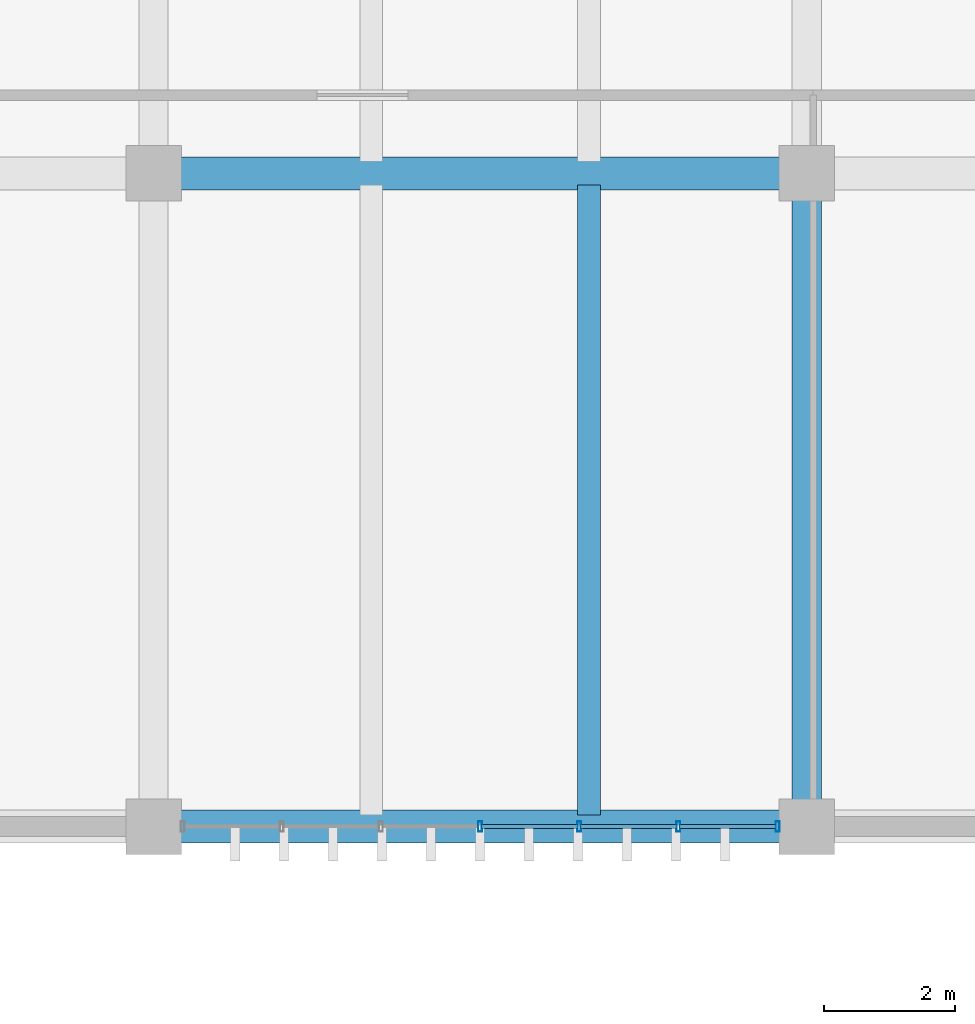
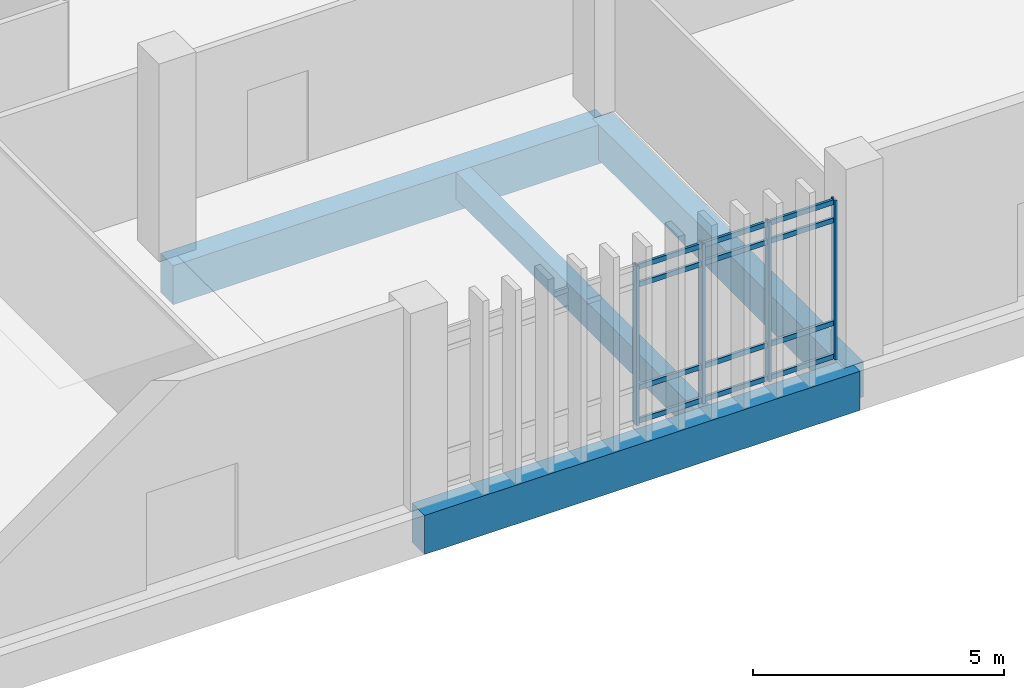
# One storey, part 42 of 87: 16 members, 4 beams, 1 element without a shape of its own.
"""IFC4 building model written with IfcOpenShell, lengths in metres."""

from ifc_helpers import new_model, si_unit, direction, frame, origin, origin_2d, place, context, subcontext, project, spatial, rectangle, hollow_rectangle, extrude, material, layer, layer_set, material_profile, profile_set, type_object, element, aggregate, save


model = new_model("IFC4")

# Units and contexts
model_context = context("Model", 3, precision=1e-05, world=origin(), true_north=direction((0.0, 1.0)))
body_context = subcontext(model_context, "Body", "Model", "MODEL_VIEW")
ifc_project = project(units=[si_unit("LENGTHUNIT", "METRE"), si_unit("AREAUNIT", "SQUARE_METRE"), si_unit("VOLUMEUNIT", "CUBIC_METRE"), si_unit("PLANEANGLEUNIT", "RADIAN"), si_unit("MASSUNIT", "GRAM", prefix="KILO")], contexts=[model_context])

# Site, building, storey
site_placement = place(None, origin())
site = spatial("IfcSite", under=ifc_project, at=site_placement, CompositionType="ELEMENT")
building_placement = place(site_placement, origin())
building = spatial("IfcBuilding", under=site, at=building_placement, Name="Mersad Railyard Sports Hall", CompositionType="ELEMENT")
storey_placement = place(building_placement, origin())
storey = spatial("IfcBuildingStorey", under=building, at=storey_placement, Name="L00", CompositionType="ELEMENT", Elevation=0.0)

# Curtain wall, members
ifc_material_1 = material(Name="Aluminium 6063-T6", Category="aluminium")
ifc_layer = layer(ifc_material_1, 0.159912109375)
ifc_layer_set = layer_set([ifc_layer], Name="Aluminium 6063-T6")
curtain_wall_type = type_object("IfcCurtainWallType", Name="ARC-CW-CW32", PredefinedType="USERDEFINED", material=ifc_layer_set)
curtain_wall_placement = place(storey_placement, origin())
curtain_wall = element("IfcCurtainWall", 1, at=curtain_wall_placement, inside=storey, type_object=curtain_wall_type, Name="Curtain wall CW32-0092", ObjectType="CURTAIN WALL", PredefinedType="USERDEFINED")
ifc_material_profile_1 = material_profile(ifc_material_1, hollow_rectangle(XDim=0.06005859375, YDim=0.159912109375, WallThickness=0.00390625, at=origin_2d()), Name="AL MULLION 60x160x4")
ifc_profile_set_1 = profile_set([ifc_material_profile_1], Name="Aluminium 6063-T6")
member_type_1 = type_object("IfcMemberType", Name="ARC-CW-MUL01", PredefinedType="MULLION", material=ifc_profile_set_1)
member_1_placement = place(storey_placement, frame((100.554931640625, 85.0, -0.02001953125), z_axis=(0.0, 0.0, 1.0), x_axis=(1.0, 0.0, 0.0)))
member_1 = element("IfcMember", 2, at=member_1_placement, type_object=member_type_1, Name="CW32 Mullion 1", PredefinedType="MULLION", context=body_context, shape_type="SweptSolid", body=[
    extrude(hollow_rectangle(XDim=0.06005859375, YDim=0.159912109375, WallThickness=0.00390625, at=origin_2d()), origin(), (0.0, 0.0, 1.0), 3.8701171875),
])
member_2_placement = place(storey_placement, frame((99.03662109375, 85.0, -0.02001953125), z_axis=(0.0, 0.0, 1.0), x_axis=(1.0, 0.0, 0.0)))
member_2 = element("IfcMember", 3, at=member_2_placement, type_object=member_type_1, Name="CW32 Mullion 2", PredefinedType="MULLION", context=body_context, shape_type="SweptSolid", body=[
    extrude(hollow_rectangle(XDim=0.06005859375, YDim=0.159912109375, WallThickness=0.00390625, at=origin_2d()), origin(), (0.0, 0.0, 1.0), 3.8701171875),
])
member_3_placement = place(storey_placement, frame((97.518310546875, 85.0, -0.02001953125), z_axis=(0.0, 0.0, 1.0), x_axis=(1.0, 0.0, 0.0)))
member_3 = element("IfcMember", 4, at=member_3_placement, type_object=member_type_1, Name="CW32 Mullion 3", PredefinedType="MULLION", context=body_context, shape_type="SweptSolid", body=[
    extrude(hollow_rectangle(XDim=0.06005859375, YDim=0.159912109375, WallThickness=0.00390625, at=origin_2d()), origin(), (0.0, 0.0, 1.0), 3.8701171875),
])
member_4_placement = place(storey_placement, frame((96.0, 85.0, -0.02001953125), z_axis=(0.0, 0.0, 1.0), x_axis=(1.0, 0.0, 0.0)))
member_4 = element("IfcMember", 5, at=member_4_placement, type_object=member_type_1, Name="CW32 Mullion 4", PredefinedType="MULLION", context=body_context, shape_type="SweptSolid", body=[
    extrude(hollow_rectangle(XDim=0.06005859375, YDim=0.159912109375, WallThickness=0.00390625, at=origin_2d()), origin(), (0.0, 0.0, 1.0), 3.8701171875),
])
ifc_material_profile_2 = material_profile(ifc_material_1, hollow_rectangle(XDim=0.06005859375, YDim=0.1201171875, WallThickness=0.00390625, at=origin_2d()), Name="AL TRANSOM 60x120x4")
ifc_profile_set_2 = profile_set([ifc_material_profile_2], Name="Aluminium 6063-T6")
member_type_2 = type_object("IfcMemberType", Name="ARC-CW-TRN01", PredefinedType="USERDEFINED", material=ifc_profile_set_2)
member_5_placement = place(storey_placement, frame((100.534912109375, 85.0, 0.0400390625), z_axis=(-1.0, 0.0, 0.0), x_axis=(0.0, -1.0, 0.0)))
member_5 = element("IfcMember", 6, at=member_5_placement, type_object=member_type_2, Name="CW32 Transom 1-1", ObjectType="TRANSOM", PredefinedType="USERDEFINED", context=body_context, shape_type="SweptSolid", body=[
    extrude(hollow_rectangle(XDim=0.06005859375, YDim=0.1201171875, WallThickness=0.00390625, at=origin_2d()), origin(), (0.0, 0.0, 1.0), 1.478271484375),
])
member_6_placement = place(storey_placement, frame((99.0166015625, 85.0, 0.0400390625), z_axis=(-1.0, 0.0, 0.0), x_axis=(0.0, -1.0, 0.0)))
member_6 = element("IfcMember", 7, at=member_6_placement, type_object=member_type_2, Name="CW32 Transom 1-2", ObjectType="TRANSOM", PredefinedType="USERDEFINED", context=body_context, shape_type="SweptSolid", body=[
    extrude(hollow_rectangle(XDim=0.06005859375, YDim=0.1201171875, WallThickness=0.00390625, at=origin_2d()), origin(), (0.0, 0.0, 1.0), 1.478271484375),
])
member_7_placement = place(storey_placement, frame((97.498291015625, 85.0, 0.0400390625), z_axis=(-1.0, 0.0, 0.0), x_axis=(0.0, -1.0, 0.0)))
member_7 = element("IfcMember", 8, at=member_7_placement, type_object=member_type_2, Name="CW32 Transom 1-3", ObjectType="TRANSOM", PredefinedType="USERDEFINED", context=body_context, shape_type="SweptSolid", body=[
    extrude(hollow_rectangle(XDim=0.06005859375, YDim=0.1201171875, WallThickness=0.00390625, at=origin_2d()), origin(), (0.0, 0.0, 1.0), 1.478271484375),
])
member_8_placement = place(storey_placement, frame((100.534912109375, 85.0, 0.85009765625), z_axis=(-1.0, 0.0, 0.0), x_axis=(0.0, -1.0, 0.0)))
member_8 = element("IfcMember", 9, at=member_8_placement, type_object=member_type_2, Name="CW32 Transom 2-1", ObjectType="TRANSOM", PredefinedType="USERDEFINED", context=body_context, shape_type="SweptSolid", body=[
    extrude(hollow_rectangle(XDim=0.06005859375, YDim=0.1201171875, WallThickness=0.00390625, at=origin_2d()), origin(), (0.0, 0.0, 1.0), 1.478271484375),
])
member_9_placement = place(storey_placement, frame((99.0166015625, 85.0, 0.85009765625), z_axis=(-1.0, 0.0, 0.0), x_axis=(0.0, -1.0, 0.0)))
member_9 = element("IfcMember", 10, at=member_9_placement, type_object=member_type_2, Name="CW32 Transom 2-2", ObjectType="TRANSOM", PredefinedType="USERDEFINED", context=body_context, shape_type="SweptSolid", body=[
    extrude(hollow_rectangle(XDim=0.06005859375, YDim=0.1201171875, WallThickness=0.00390625, at=origin_2d()), origin(), (0.0, 0.0, 1.0), 1.478271484375),
])
member_10_placement = place(storey_placement, frame((97.498291015625, 85.0, 0.85009765625), z_axis=(-1.0, 0.0, 0.0), x_axis=(0.0, -1.0, 0.0)))
member_10 = element("IfcMember", 11, at=member_10_placement, type_object=member_type_2, Name="CW32 Transom 2-3", ObjectType="TRANSOM", PredefinedType="USERDEFINED", context=body_context, shape_type="SweptSolid", body=[
    extrude(hollow_rectangle(XDim=0.06005859375, YDim=0.1201171875, WallThickness=0.00390625, at=origin_2d()), origin(), (0.0, 0.0, 1.0), 1.478271484375),
])
member_11_placement = place(storey_placement, frame((100.534912109375, 85.0, 3.35009765625), z_axis=(-1.0, 0.0, 0.0), x_axis=(0.0, -1.0, 0.0)))
member_11 = element("IfcMember", 12, at=member_11_placement, type_object=member_type_2, Name="CW32 Transom 3-1", ObjectType="TRANSOM", PredefinedType="USERDEFINED", context=body_context, shape_type="SweptSolid", body=[
    extrude(hollow_rectangle(XDim=0.06005859375, YDim=0.1201171875, WallThickness=0.00390625, at=origin_2d()), origin(), (0.0, 0.0, 1.0), 1.478271484375),
])
member_12_placement = place(storey_placement, frame((99.0166015625, 85.0, 3.35009765625), z_axis=(-1.0, 0.0, 0.0), x_axis=(0.0, -1.0, 0.0)))
member_12 = element("IfcMember", 13, at=member_12_placement, type_object=member_type_2, Name="CW32 Transom 3-2", ObjectType="TRANSOM", PredefinedType="USERDEFINED", context=body_context, shape_type="SweptSolid", body=[
    extrude(hollow_rectangle(XDim=0.06005859375, YDim=0.1201171875, WallThickness=0.00390625, at=origin_2d()), origin(), (0.0, 0.0, 1.0), 1.478271484375),
])
member_13_placement = place(storey_placement, frame((97.498291015625, 85.0, 3.35009765625), z_axis=(-1.0, 0.0, 0.0), x_axis=(0.0, -1.0, 0.0)))
member_13 = element("IfcMember", 14, at=member_13_placement, type_object=member_type_2, Name="CW32 Transom 3-3", ObjectType="TRANSOM", PredefinedType="USERDEFINED", context=body_context, shape_type="SweptSolid", body=[
    extrude(hollow_rectangle(XDim=0.06005859375, YDim=0.1201171875, WallThickness=0.00390625, at=origin_2d()), origin(), (0.0, 0.0, 1.0), 1.478271484375),
])
member_14_placement = place(storey_placement, frame((100.534912109375, 85.0, 3.7900390625), z_axis=(-1.0, 0.0, 0.0), x_axis=(0.0, -1.0, 0.0)))
member_14 = element("IfcMember", 15, at=member_14_placement, type_object=member_type_2, Name="CW32 Transom 4-1", ObjectType="TRANSOM", PredefinedType="USERDEFINED", context=body_context, shape_type="SweptSolid", body=[
    extrude(hollow_rectangle(XDim=0.06005859375, YDim=0.1201171875, WallThickness=0.00390625, at=origin_2d()), origin(), (0.0, 0.0, 1.0), 1.478271484375),
])
member_15_placement = place(storey_placement, frame((99.0166015625, 85.0, 3.7900390625), z_axis=(-1.0, 0.0, 0.0), x_axis=(0.0, -1.0, 0.0)))
member_15 = element("IfcMember", 16, at=member_15_placement, type_object=member_type_2, Name="CW32 Transom 4-2", ObjectType="TRANSOM", PredefinedType="USERDEFINED", context=body_context, shape_type="SweptSolid", body=[
    extrude(hollow_rectangle(XDim=0.06005859375, YDim=0.1201171875, WallThickness=0.00390625, at=origin_2d()), origin(), (0.0, 0.0, 1.0), 1.478271484375),
])
member_16_placement = place(storey_placement, frame((97.498291015625, 85.0, 3.7900390625), z_axis=(-1.0, 0.0, 0.0), x_axis=(0.0, -1.0, 0.0)))
member_16 = element("IfcMember", 17, at=member_16_placement, type_object=member_type_2, Name="CW32 Transom 4-3", ObjectType="TRANSOM", PredefinedType="USERDEFINED", context=body_context, shape_type="SweptSolid", body=[
    extrude(hollow_rectangle(XDim=0.06005859375, YDim=0.1201171875, WallThickness=0.00390625, at=origin_2d()), origin(), (0.0, 0.0, 1.0), 1.478271484375),
])
aggregate(curtain_wall, [member_1, member_2, member_3, member_4, member_5, member_6, member_7, member_8, member_9, member_10, member_11, member_12, member_13, member_14, member_15, member_16])

# Beams
ifc_material_2 = material(Name="Concrete C40/50", Category="concrete")
ifc_material_profile_3 = material_profile(ifc_material_2, rectangle(XDim=0.449951171875, YDim=0.85009765625, at=origin_2d()), Name="RC 450x850")
ifc_profile_set_3 = profile_set([ifc_material_profile_3], Name="Concrete C40/50")
beam_type_1 = type_object("IfcBeamType", Name="STR-BM-B02", PredefinedType="BEAM", material=ifc_profile_set_3)
beam_1_placement = place(storey_placement, frame((101.0, 85.0, -0.77490234375), z_axis=(0.0, 1.0, 0.0), x_axis=(-1.0, 0.0, 0.0)))
element("IfcBeam", 18, at=beam_1_placement, inside=storey, type_object=beam_type_1, Name="Beam B02-0189", PredefinedType="BEAM", context=body_context, shape_type="SweptSolid", body=[
    extrude(rectangle(XDim=0.449951171875, YDim=0.85009765625, at=origin_2d()), origin(), (0.0, 0.0, 1.0), 10.0),
])
ifc_material_3 = material(Name="Concrete C50/60", Category="concrete")
ifc_material_profile_4 = material_profile(ifc_material_3, rectangle(XDim=0.5, YDim=0.949951171875, at=origin_2d()), Name="RC 500x950")
ifc_profile_set_4 = profile_set([ifc_material_profile_4], Name="Concrete C50/60")
beam_type_2 = type_object("IfcBeamType", Name="STR-BM-B03", PredefinedType="BEAM", material=ifc_profile_set_4)
for number, where, z_axis, x_axis, name in (
    (19, (91.0, 85.0, -0.824951171875), (1.0, 0.0, 0.0), (0.0, 1.0, 0.0), "Beam B03-0146"),
    (20, (91.0, 95.0, -0.824951171875), (1.0, 0.0, 0.0), (0.0, 1.0, 0.0), "Beam B03-0154"),
):
    element("IfcBeam", number, at=place(storey_placement, frame(where, z_axis=z_axis, x_axis=x_axis)), inside=storey, type_object=beam_type_2, Name=name, PredefinedType="BEAM", context=body_context, shape_type="SweptSolid", body=[
        extrude(rectangle(XDim=0.5, YDim=0.949951171875, at=origin_2d()), origin(), (0.0, 0.0, 1.0), 10.0),
    ])
ifc_material_profile_5 = material_profile(ifc_material_2, rectangle(XDim=0.35009765625, YDim=0.64990234375, at=origin_2d()), Name="RC 350x650")
ifc_profile_set_5 = profile_set([ifc_material_profile_5], Name="Concrete C40/50")
beam_type_3 = type_object("IfcBeamType", Name="STR-BM-J01", PredefinedType="JOIST", material=ifc_profile_set_5)
beam_2_placement = place(storey_placement, frame((97.6669921875, 85.179931640625, -0.675048828125), z_axis=(0.0, 1.0, 0.0), x_axis=(-1.0, 0.0, 0.0)))
element("IfcBeam", 21, at=beam_2_placement, inside=storey, type_object=beam_type_3, Name="Beam J01-0247", PredefinedType="JOIST", context=body_context, shape_type="SweptSolid", body=[
    extrude(rectangle(XDim=0.35009765625, YDim=0.64990234375, at=origin_2d()), origin(), (0.0, 0.0, 1.0), 9.64013671875),
])

save(model, "model.ifc")
